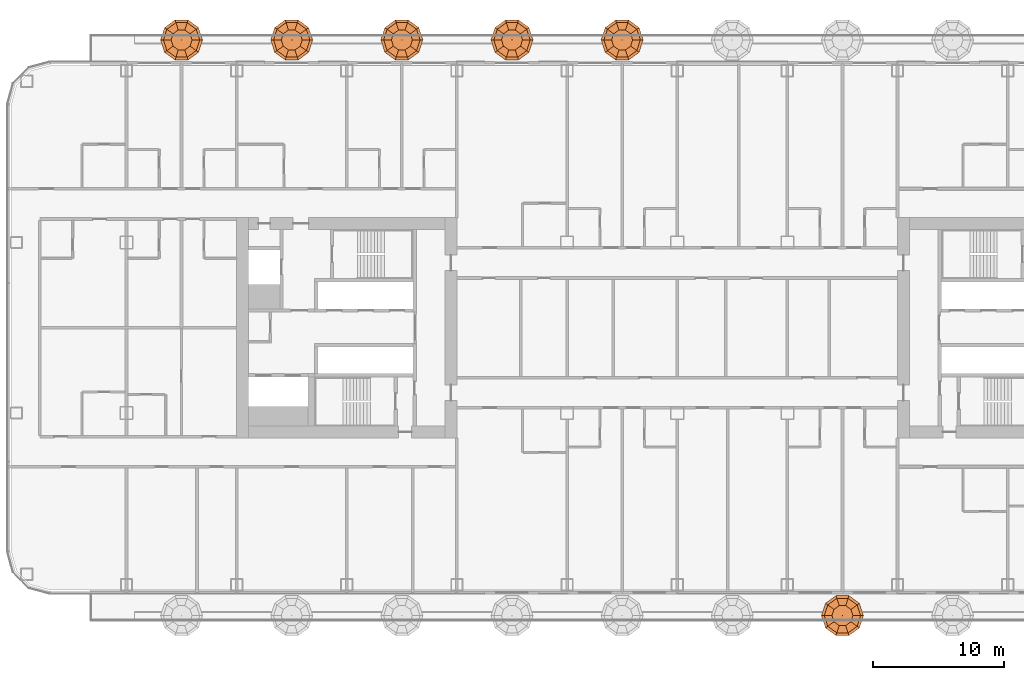
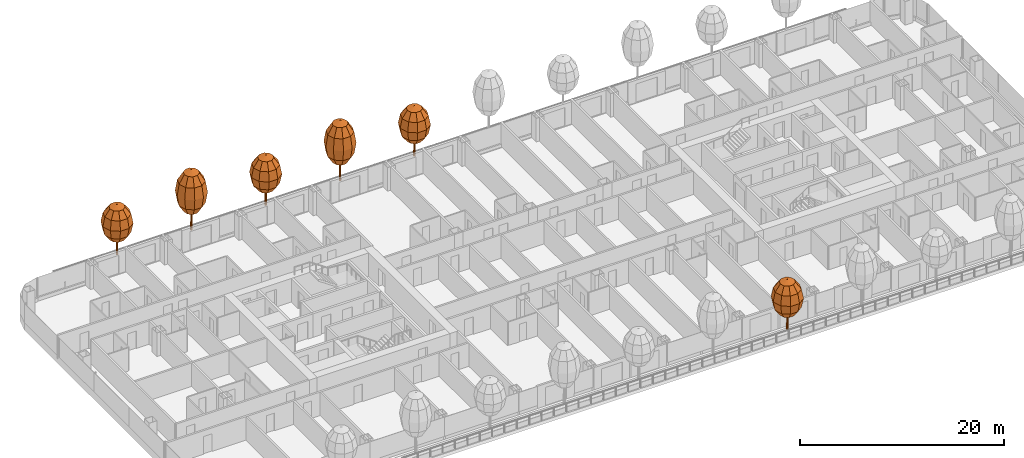
# One storey, part 34 of 36: 6 geographic elements.
"""IFC4 building model written with IfcOpenShell, lengths in metres."""

from ifc_helpers import new_model, si_unit, direction, frame, origin, place, context, subcontext, project, spatial, triangles, material, type_object, element, save


model = new_model("IFC4")

# Units and contexts
model_context = context("Model", 3, precision=1e-05, world=origin(), true_north=direction((0.0, 1.0)))
body_context = subcontext(model_context, "Body", "Model", "MODEL_VIEW")
ifc_project = project(units=[si_unit("LENGTHUNIT", "METRE"), si_unit("AREAUNIT", "SQUARE_METRE"), si_unit("VOLUMEUNIT", "CUBIC_METRE"), si_unit("PLANEANGLEUNIT", "RADIAN"), si_unit("MASSUNIT", "GRAM", prefix="KILO")], contexts=[model_context])

# Site, building, storey
site_placement = place(None, origin())
site = spatial("IfcSite", under=ifc_project, at=site_placement, CompositionType="ELEMENT")
building_placement = place(site_placement, origin())
building = spatial("IfcBuilding", under=site, at=building_placement, Name="Hakoniwa Tower and Hamabe Station Hall", CompositionType="ELEMENT")
storey_placement = place(building_placement, frame((0.0, 0.0, 26.199951171875)))
storey = spatial("IfcBuildingStorey", under=building, at=storey_placement, Name="L06", CompositionType="ELEMENT", Elevation=26.199951171875)

# Geographic elements
ifc_material_1 = material(Name="Tree foliage")
geographic_element_type_1 = type_object("IfcGeographicElementType", Name="Japanese maple 7.2 m", PredefinedType="USERDEFINED", material=ifc_material_1)
geographic_element_1_placement = place(storey_placement, frame((-29.39990234375, 21.949951171875, 0.900146484375)))
element("IfcGeographicElement", 1, at=geographic_element_1_placement, inside=storey, type_object=geographic_element_type_1, Name="Japanese maple 7-2 m", ObjectType="TREE", PredefinedType="USERDEFINED", context=body_context, shape_type="Tessellation", body=[
    triangles([(0.125, 0.0, 0.0), (0.08837890625, 0.08837890625, 0.0), (0.0, 0.125, 0.0), (-0.08837890625, 0.08837890625, 0.0), (-0.125, 0.0, 0.0), (-0.08837890625, -0.08837890625, 0.0), (0.0, -0.125, 0.0), (0.08837890625, -0.08837890625, 0.0), (0.074951171875, 0.0, 4.348876953125), (0.052978515625, 0.052978515625, 4.348876953125), (0.0, 0.074951171875, 4.348876953125), (-0.052978515625, 0.052978515625, 4.348876953125), (-0.074951171875, 0.0, 4.348876953125), (-0.052978515625, -0.052978515625, 4.348876953125), (0.0, -0.074951171875, 4.348876953125), (0.052978515625, -0.052978515625, 4.348876953125), (0.0, 0.0, 0.0), (0.0, 0.0, 4.348876953125)], [[1, 2, 10], [1, 10, 9], [17, 2, 1], [18, 9, 10], [2, 3, 11], [2, 11, 10], [17, 3, 2], [18, 10, 11], [3, 4, 12], [3, 12, 11], [17, 4, 3], [18, 11, 12], [4, 5, 13], [4, 13, 12], [17, 5, 4], [18, 12, 13], [5, 6, 14], [5, 14, 13], [17, 6, 5], [18, 13, 14], [6, 7, 15], [6, 15, 14], [17, 7, 6], [18, 14, 15], [7, 8, 16], [7, 16, 15], [17, 8, 7], [18, 15, 16], [8, 1, 9], [8, 9, 16], [17, 1, 8], [18, 16, 9]], closed=True),
    triangles([(0.0, 0.0, 2.015869140625), (0.800048828125, 0.0, 2.36328125), (0.647216796875, 0.47021484375, 2.36328125), (0.247314453125, 0.7607421875, 2.36328125), (-0.247314453125, 0.7607421875, 2.36328125), (-0.647216796875, 0.47021484375, 2.36328125), (-0.800048828125, 0.0, 2.36328125), (-0.647216796875, -0.47021484375, 2.36328125), (-0.247314453125, -0.7607421875, 2.36328125), (0.247314453125, -0.7607421875, 2.36328125), (0.647216796875, -0.47021484375, 2.36328125), (1.385498046875, 0.0, 3.31201171875), (1.12109375, 0.814453125, 3.31201171875), (0.42822265625, 1.31787109375, 3.31201171875), (-0.42822265625, 1.31787109375, 3.31201171875), (-1.12109375, 0.814453125, 3.31201171875), (-1.385498046875, 0.0, 3.31201171875), (-1.12109375, -0.814453125, 3.31201171875), (-0.42822265625, -1.31787109375, 3.31201171875), (0.42822265625, -1.31787109375, 3.31201171875), (1.12109375, -0.814453125, 3.31201171875), (1.60009765625, 0.0, 4.60791015625), (1.29443359375, 0.9404296875, 4.60791015625), (0.494384765625, 1.521728515625, 4.60791015625), (-0.494384765625, 1.521728515625, 4.60791015625), (-1.29443359375, 0.9404296875, 4.60791015625), (-1.60009765625, 0.0, 4.60791015625), (-1.29443359375, -0.9404296875, 4.60791015625), (-0.494384765625, -1.521728515625, 4.60791015625), (0.494384765625, -1.521728515625, 4.60791015625), (1.29443359375, -0.9404296875, 4.60791015625), (1.385498046875, 0.0, 5.904052734375), (1.12109375, 0.814453125, 5.904052734375), (0.42822265625, 1.31787109375, 5.904052734375), (-0.42822265625, 1.31787109375, 5.904052734375), (-1.12109375, 0.814453125, 5.904052734375), (-1.385498046875, 0.0, 5.904052734375), (-1.12109375, -0.814453125, 5.904052734375), (-0.42822265625, -1.31787109375, 5.904052734375), (0.42822265625, -1.31787109375, 5.904052734375), (1.12109375, -0.814453125, 5.904052734375), (0.800048828125, 0.0, 6.852783203125), (0.647216796875, 0.47021484375, 6.852783203125), (0.247314453125, 0.7607421875, 6.852783203125), (-0.247314453125, 0.7607421875, 6.852783203125), (-0.647216796875, 0.47021484375, 6.852783203125), (-0.800048828125, 0.0, 6.852783203125), (-0.647216796875, -0.47021484375, 6.852783203125), (-0.247314453125, -0.7607421875, 6.852783203125), (0.247314453125, -0.7607421875, 6.852783203125), (0.647216796875, -0.47021484375, 6.852783203125), (0.0, 0.0, 7.199951171875)], [[1, 3, 2], [1, 4, 3], [1, 5, 4], [1, 6, 5], [1, 7, 6], [1, 8, 7], [1, 9, 8], [1, 10, 9], [1, 11, 10], [1, 2, 11], [2, 3, 13], [2, 13, 12], [3, 4, 14], [3, 14, 13], [4, 5, 15], [4, 15, 14], [5, 6, 16], [5, 16, 15], [6, 7, 17], [6, 17, 16], [7, 8, 18], [7, 18, 17], [8, 9, 19], [8, 19, 18], [9, 10, 20], [9, 20, 19], [10, 11, 21], [10, 21, 20], [11, 2, 12], [11, 12, 21], [12, 13, 23], [12, 23, 22], [13, 14, 24], [13, 24, 23], [14, 15, 25], [14, 25, 24], [15, 16, 26], [15, 26, 25], [16, 17, 27], [16, 27, 26], [17, 18, 28], [17, 28, 27], [18, 19, 29], [18, 29, 28], [19, 20, 30], [19, 30, 29], [20, 21, 31], [20, 31, 30], [21, 12, 22], [21, 22, 31], [22, 23, 33], [22, 33, 32], [23, 24, 34], [23, 34, 33], [24, 25, 35], [24, 35, 34], [25, 26, 36], [25, 36, 35], [26, 27, 37], [26, 37, 36], [27, 28, 38], [27, 38, 37], [28, 29, 39], [28, 39, 38], [29, 30, 40], [29, 40, 39], [30, 31, 41], [30, 41, 40], [31, 22, 32], [31, 32, 41], [32, 33, 43], [32, 43, 42], [33, 34, 44], [33, 44, 43], [34, 35, 45], [34, 45, 44], [35, 36, 46], [35, 46, 45], [36, 37, 47], [36, 47, 46], [37, 38, 48], [37, 48, 47], [38, 39, 49], [38, 49, 48], [39, 40, 50], [39, 50, 49], [40, 41, 51], [40, 51, 50], [41, 32, 42], [41, 42, 51], [52, 42, 43], [52, 43, 44], [52, 44, 45], [52, 45, 46], [52, 46, 47], [52, 47, 48], [52, 48, 49], [52, 49, 50], [52, 50, 51], [52, 51, 42]], closed=True),
])
geographic_element_2_placement = place(storey_placement, frame((-12.60009765625, 21.949951171875, 0.900146484375)))
element("IfcGeographicElement", 2, at=geographic_element_2_placement, inside=storey, type_object=geographic_element_type_1, Name="Japanese maple 7-2 m", ObjectType="TREE", PredefinedType="USERDEFINED", context=body_context, shape_type="Tessellation", body=[
    triangles([(0.125, 0.0, 0.0), (0.08837890625, 0.08837890625, 0.0), (0.0, 0.125, 0.0), (-0.08837890625, 0.08837890625, 0.0), (-0.125, 0.0, 0.0), (-0.08837890625, -0.08837890625, 0.0), (0.0, -0.125, 0.0), (0.08837890625, -0.08837890625, 0.0), (0.074951171875, 0.0, 4.348876953125), (0.052978515625, 0.052978515625, 4.348876953125), (0.0, 0.074951171875, 4.348876953125), (-0.052978515625, 0.052978515625, 4.348876953125), (-0.074951171875, 0.0, 4.348876953125), (-0.052978515625, -0.052978515625, 4.348876953125), (0.0, -0.074951171875, 4.348876953125), (0.052978515625, -0.052978515625, 4.348876953125), (0.0, 0.0, 0.0), (0.0, 0.0, 4.348876953125)], [[1, 2, 10], [1, 10, 9], [17, 2, 1], [18, 9, 10], [2, 3, 11], [2, 11, 10], [17, 3, 2], [18, 10, 11], [3, 4, 12], [3, 12, 11], [17, 4, 3], [18, 11, 12], [4, 5, 13], [4, 13, 12], [17, 5, 4], [18, 12, 13], [5, 6, 14], [5, 14, 13], [17, 6, 5], [18, 13, 14], [6, 7, 15], [6, 15, 14], [17, 7, 6], [18, 14, 15], [7, 8, 16], [7, 16, 15], [17, 8, 7], [18, 15, 16], [8, 1, 9], [8, 9, 16], [17, 1, 8], [18, 16, 9]], closed=True),
    triangles([(0.0, 0.0, 2.015869140625), (0.800048828125, 0.0, 2.36328125), (0.647216796875, 0.47021484375, 2.36328125), (0.247314453125, 0.7607421875, 2.36328125), (-0.247314453125, 0.7607421875, 2.36328125), (-0.647216796875, 0.47021484375, 2.36328125), (-0.800048828125, 0.0, 2.36328125), (-0.647216796875, -0.47021484375, 2.36328125), (-0.247314453125, -0.7607421875, 2.36328125), (0.247314453125, -0.7607421875, 2.36328125), (0.647216796875, -0.47021484375, 2.36328125), (1.385498046875, 0.0, 3.31201171875), (1.12109375, 0.814453125, 3.31201171875), (0.42822265625, 1.31787109375, 3.31201171875), (-0.42822265625, 1.31787109375, 3.31201171875), (-1.12109375, 0.814453125, 3.31201171875), (-1.385498046875, 0.0, 3.31201171875), (-1.12109375, -0.814453125, 3.31201171875), (-0.42822265625, -1.31787109375, 3.31201171875), (0.42822265625, -1.31787109375, 3.31201171875), (1.12109375, -0.814453125, 3.31201171875), (1.60009765625, 0.0, 4.60791015625), (1.29443359375, 0.9404296875, 4.60791015625), (0.494384765625, 1.521728515625, 4.60791015625), (-0.494384765625, 1.521728515625, 4.60791015625), (-1.29443359375, 0.9404296875, 4.60791015625), (-1.60009765625, 0.0, 4.60791015625), (-1.29443359375, -0.9404296875, 4.60791015625), (-0.494384765625, -1.521728515625, 4.60791015625), (0.494384765625, -1.521728515625, 4.60791015625), (1.29443359375, -0.9404296875, 4.60791015625), (1.385498046875, 0.0, 5.904052734375), (1.12109375, 0.814453125, 5.904052734375), (0.42822265625, 1.31787109375, 5.904052734375), (-0.42822265625, 1.31787109375, 5.904052734375), (-1.12109375, 0.814453125, 5.904052734375), (-1.385498046875, 0.0, 5.904052734375), (-1.12109375, -0.814453125, 5.904052734375), (-0.42822265625, -1.31787109375, 5.904052734375), (0.42822265625, -1.31787109375, 5.904052734375), (1.12109375, -0.814453125, 5.904052734375), (0.800048828125, 0.0, 6.852783203125), (0.647216796875, 0.47021484375, 6.852783203125), (0.247314453125, 0.7607421875, 6.852783203125), (-0.247314453125, 0.7607421875, 6.852783203125), (-0.647216796875, 0.47021484375, 6.852783203125), (-0.800048828125, 0.0, 6.852783203125), (-0.647216796875, -0.47021484375, 6.852783203125), (-0.247314453125, -0.7607421875, 6.852783203125), (0.247314453125, -0.7607421875, 6.852783203125), (0.647216796875, -0.47021484375, 6.852783203125), (0.0, 0.0, 7.199951171875)], [[1, 3, 2], [1, 4, 3], [1, 5, 4], [1, 6, 5], [1, 7, 6], [1, 8, 7], [1, 9, 8], [1, 10, 9], [1, 11, 10], [1, 2, 11], [2, 3, 13], [2, 13, 12], [3, 4, 14], [3, 14, 13], [4, 5, 15], [4, 15, 14], [5, 6, 16], [5, 16, 15], [6, 7, 17], [6, 17, 16], [7, 8, 18], [7, 18, 17], [8, 9, 19], [8, 19, 18], [9, 10, 20], [9, 20, 19], [10, 11, 21], [10, 21, 20], [11, 2, 12], [11, 12, 21], [12, 13, 23], [12, 23, 22], [13, 14, 24], [13, 24, 23], [14, 15, 25], [14, 25, 24], [15, 16, 26], [15, 26, 25], [16, 17, 27], [16, 27, 26], [17, 18, 28], [17, 28, 27], [18, 19, 29], [18, 29, 28], [19, 20, 30], [19, 30, 29], [20, 21, 31], [20, 31, 30], [21, 12, 22], [21, 22, 31], [22, 23, 33], [22, 33, 32], [23, 24, 34], [23, 34, 33], [24, 25, 35], [24, 35, 34], [25, 26, 36], [25, 36, 35], [26, 27, 37], [26, 37, 36], [27, 28, 38], [27, 38, 37], [28, 29, 39], [28, 39, 38], [29, 30, 40], [29, 40, 39], [30, 31, 41], [30, 41, 40], [31, 22, 32], [31, 32, 41], [32, 33, 43], [32, 43, 42], [33, 34, 44], [33, 44, 43], [34, 35, 45], [34, 45, 44], [35, 36, 46], [35, 46, 45], [36, 37, 47], [36, 47, 46], [37, 38, 48], [37, 48, 47], [38, 39, 49], [38, 49, 48], [39, 40, 50], [39, 50, 49], [40, 41, 51], [40, 51, 50], [41, 32, 42], [41, 42, 51], [52, 42, 43], [52, 43, 44], [52, 44, 45], [52, 45, 46], [52, 46, 47], [52, 47, 48], [52, 48, 49], [52, 49, 50], [52, 50, 51], [52, 51, 42]], closed=True),
])
ifc_material_2 = material(Name="Tree foliage")
geographic_element_type_2 = type_object("IfcGeographicElementType", Name="Osmanthus 6.0 m", PredefinedType="USERDEFINED", material=ifc_material_2)
geographic_element_3_placement = place(storey_placement, frame((-37.800048828125, 21.949951171875, 0.900146484375)))
element("IfcGeographicElement", 3, at=geographic_element_3_placement, inside=storey, type_object=geographic_element_type_2, Name="Osmanthus 6-0 m", ObjectType="TREE", PredefinedType="USERDEFINED", context=body_context, shape_type="Tessellation", body=[
    triangles([(0.125, 0.0, 0.0), (0.08837890625, 0.08837890625, 0.0), (0.0, 0.125, 0.0), (-0.08837890625, 0.08837890625, 0.0), (-0.125, 0.0, 0.0), (-0.08837890625, -0.08837890625, 0.0), (0.0, -0.125, 0.0), (0.08837890625, -0.08837890625, 0.0), (0.074951171875, 0.0, 3.6240234375), (0.052978515625, 0.052978515625, 3.6240234375), (0.0, 0.074951171875, 3.6240234375), (-0.052978515625, 0.052978515625, 3.6240234375), (-0.074951171875, 0.0, 3.6240234375), (-0.052978515625, -0.052978515625, 3.6240234375), (0.0, -0.074951171875, 3.6240234375), (0.052978515625, -0.052978515625, 3.6240234375), (0.0, 0.0, 0.0), (0.0, 0.0, 3.6240234375)], [[1, 2, 10], [1, 10, 9], [17, 2, 1], [18, 9, 10], [2, 3, 11], [2, 11, 10], [17, 3, 2], [18, 10, 11], [3, 4, 12], [3, 12, 11], [17, 4, 3], [18, 11, 12], [4, 5, 13], [4, 13, 12], [17, 5, 4], [18, 12, 13], [5, 6, 14], [5, 14, 13], [17, 6, 5], [18, 13, 14], [6, 7, 15], [6, 15, 14], [17, 7, 6], [18, 14, 15], [7, 8, 16], [7, 16, 15], [17, 8, 7], [18, 15, 16], [8, 1, 9], [8, 9, 16], [17, 1, 8], [18, 16, 9]], closed=True),
    triangles([(0.0, 0.0, 1.679931640625), (0.800048828125, 0.0, 1.969482421875), (0.647216796875, 0.47021484375, 1.969482421875), (0.247314453125, 0.7607421875, 1.969482421875), (-0.247314453125, 0.7607421875, 1.969482421875), (-0.647216796875, 0.47021484375, 1.969482421875), (-0.800048828125, 0.0, 1.969482421875), (-0.647216796875, -0.47021484375, 1.969482421875), (-0.247314453125, -0.7607421875, 1.969482421875), (0.247314453125, -0.7607421875, 1.969482421875), (0.647216796875, -0.47021484375, 1.969482421875), (1.385498046875, 0.0, 2.760009765625), (1.12109375, 0.814453125, 2.760009765625), (0.42822265625, 1.31787109375, 2.760009765625), (-0.42822265625, 1.31787109375, 2.760009765625), (-1.12109375, 0.814453125, 2.760009765625), (-1.385498046875, 0.0, 2.760009765625), (-1.12109375, -0.814453125, 2.760009765625), (-0.42822265625, -1.31787109375, 2.760009765625), (0.42822265625, -1.31787109375, 2.760009765625), (1.12109375, -0.814453125, 2.760009765625), (1.60009765625, 0.0, 3.840087890625), (1.29443359375, 0.9404296875, 3.840087890625), (0.494384765625, 1.521728515625, 3.840087890625), (-0.494384765625, 1.521728515625, 3.840087890625), (-1.29443359375, 0.9404296875, 3.840087890625), (-1.60009765625, 0.0, 3.840087890625), (-1.29443359375, -0.9404296875, 3.840087890625), (-0.494384765625, -1.521728515625, 3.840087890625), (0.494384765625, -1.521728515625, 3.840087890625), (1.29443359375, -0.9404296875, 3.840087890625), (1.385498046875, 0.0, 4.919921875), (1.12109375, 0.814453125, 4.919921875), (0.42822265625, 1.31787109375, 4.919921875), (-0.42822265625, 1.31787109375, 4.919921875), (-1.12109375, 0.814453125, 4.919921875), (-1.385498046875, 0.0, 4.919921875), (-1.12109375, -0.814453125, 4.919921875), (-0.42822265625, -1.31787109375, 4.919921875), (0.42822265625, -1.31787109375, 4.919921875), (1.12109375, -0.814453125, 4.919921875), (0.800048828125, 0.0, 5.710693359375), (0.647216796875, 0.47021484375, 5.710693359375), (0.247314453125, 0.7607421875, 5.710693359375), (-0.247314453125, 0.7607421875, 5.710693359375), (-0.647216796875, 0.47021484375, 5.710693359375), (-0.800048828125, 0.0, 5.710693359375), (-0.647216796875, -0.47021484375, 5.710693359375), (-0.247314453125, -0.7607421875, 5.710693359375), (0.247314453125, -0.7607421875, 5.710693359375), (0.647216796875, -0.47021484375, 5.710693359375), (0.0, 0.0, 6.0)], [[1, 3, 2], [1, 4, 3], [1, 5, 4], [1, 6, 5], [1, 7, 6], [1, 8, 7], [1, 9, 8], [1, 10, 9], [1, 11, 10], [1, 2, 11], [2, 3, 13], [2, 13, 12], [3, 4, 14], [3, 14, 13], [4, 5, 15], [4, 15, 14], [5, 6, 16], [5, 16, 15], [6, 7, 17], [6, 17, 16], [7, 8, 18], [7, 18, 17], [8, 9, 19], [8, 19, 18], [9, 10, 20], [9, 20, 19], [10, 11, 21], [10, 21, 20], [11, 2, 12], [11, 12, 21], [12, 13, 23], [12, 23, 22], [13, 14, 24], [13, 24, 23], [14, 15, 25], [14, 25, 24], [15, 16, 26], [15, 26, 25], [16, 17, 27], [16, 27, 26], [17, 18, 28], [17, 28, 27], [18, 19, 29], [18, 29, 28], [19, 20, 30], [19, 30, 29], [20, 21, 31], [20, 31, 30], [21, 12, 22], [21, 22, 31], [22, 23, 33], [22, 33, 32], [23, 24, 34], [23, 34, 33], [24, 25, 35], [24, 35, 34], [25, 26, 36], [25, 36, 35], [26, 27, 37], [26, 37, 36], [27, 28, 38], [27, 38, 37], [28, 29, 39], [28, 39, 38], [29, 30, 40], [29, 40, 39], [30, 31, 41], [30, 41, 40], [31, 22, 32], [31, 32, 41], [32, 33, 43], [32, 43, 42], [33, 34, 44], [33, 44, 43], [34, 35, 45], [34, 45, 44], [35, 36, 46], [35, 46, 45], [36, 37, 47], [36, 47, 46], [37, 38, 48], [37, 48, 47], [38, 39, 49], [38, 49, 48], [39, 40, 50], [39, 50, 49], [40, 41, 51], [40, 51, 50], [41, 32, 42], [41, 42, 51], [52, 42, 43], [52, 43, 44], [52, 44, 45], [52, 45, 46], [52, 46, 47], [52, 47, 48], [52, 48, 49], [52, 49, 50], [52, 50, 51], [52, 51, 42]], closed=True),
])
geographic_element_4_placement = place(storey_placement, frame((-21.0, 21.949951171875, 0.900146484375)))
element("IfcGeographicElement", 4, at=geographic_element_4_placement, inside=storey, type_object=geographic_element_type_2, Name="Osmanthus 6-0 m", ObjectType="TREE", PredefinedType="USERDEFINED", context=body_context, shape_type="Tessellation", body=[
    triangles([(0.125, 0.0, 0.0), (0.08837890625, 0.08837890625, 0.0), (0.0, 0.125, 0.0), (-0.08837890625, 0.08837890625, 0.0), (-0.125, 0.0, 0.0), (-0.08837890625, -0.08837890625, 0.0), (0.0, -0.125, 0.0), (0.08837890625, -0.08837890625, 0.0), (0.074951171875, 0.0, 3.6240234375), (0.052978515625, 0.052978515625, 3.6240234375), (0.0, 0.074951171875, 3.6240234375), (-0.052978515625, 0.052978515625, 3.6240234375), (-0.074951171875, 0.0, 3.6240234375), (-0.052978515625, -0.052978515625, 3.6240234375), (0.0, -0.074951171875, 3.6240234375), (0.052978515625, -0.052978515625, 3.6240234375), (0.0, 0.0, 0.0), (0.0, 0.0, 3.6240234375)], [[1, 2, 10], [1, 10, 9], [17, 2, 1], [18, 9, 10], [2, 3, 11], [2, 11, 10], [17, 3, 2], [18, 10, 11], [3, 4, 12], [3, 12, 11], [17, 4, 3], [18, 11, 12], [4, 5, 13], [4, 13, 12], [17, 5, 4], [18, 12, 13], [5, 6, 14], [5, 14, 13], [17, 6, 5], [18, 13, 14], [6, 7, 15], [6, 15, 14], [17, 7, 6], [18, 14, 15], [7, 8, 16], [7, 16, 15], [17, 8, 7], [18, 15, 16], [8, 1, 9], [8, 9, 16], [17, 1, 8], [18, 16, 9]], closed=True),
    triangles([(0.0, 0.0, 1.679931640625), (0.800048828125, 0.0, 1.969482421875), (0.647216796875, 0.47021484375, 1.969482421875), (0.247314453125, 0.7607421875, 1.969482421875), (-0.247314453125, 0.7607421875, 1.969482421875), (-0.647216796875, 0.47021484375, 1.969482421875), (-0.800048828125, 0.0, 1.969482421875), (-0.647216796875, -0.47021484375, 1.969482421875), (-0.247314453125, -0.7607421875, 1.969482421875), (0.247314453125, -0.7607421875, 1.969482421875), (0.647216796875, -0.47021484375, 1.969482421875), (1.385498046875, 0.0, 2.760009765625), (1.12109375, 0.814453125, 2.760009765625), (0.42822265625, 1.31787109375, 2.760009765625), (-0.42822265625, 1.31787109375, 2.760009765625), (-1.12109375, 0.814453125, 2.760009765625), (-1.385498046875, 0.0, 2.760009765625), (-1.12109375, -0.814453125, 2.760009765625), (-0.42822265625, -1.31787109375, 2.760009765625), (0.42822265625, -1.31787109375, 2.760009765625), (1.12109375, -0.814453125, 2.760009765625), (1.60009765625, 0.0, 3.840087890625), (1.29443359375, 0.9404296875, 3.840087890625), (0.494384765625, 1.521728515625, 3.840087890625), (-0.494384765625, 1.521728515625, 3.840087890625), (-1.29443359375, 0.9404296875, 3.840087890625), (-1.60009765625, 0.0, 3.840087890625), (-1.29443359375, -0.9404296875, 3.840087890625), (-0.494384765625, -1.521728515625, 3.840087890625), (0.494384765625, -1.521728515625, 3.840087890625), (1.29443359375, -0.9404296875, 3.840087890625), (1.385498046875, 0.0, 4.919921875), (1.12109375, 0.814453125, 4.919921875), (0.42822265625, 1.31787109375, 4.919921875), (-0.42822265625, 1.31787109375, 4.919921875), (-1.12109375, 0.814453125, 4.919921875), (-1.385498046875, 0.0, 4.919921875), (-1.12109375, -0.814453125, 4.919921875), (-0.42822265625, -1.31787109375, 4.919921875), (0.42822265625, -1.31787109375, 4.919921875), (1.12109375, -0.814453125, 4.919921875), (0.800048828125, 0.0, 5.710693359375), (0.647216796875, 0.47021484375, 5.710693359375), (0.247314453125, 0.7607421875, 5.710693359375), (-0.247314453125, 0.7607421875, 5.710693359375), (-0.647216796875, 0.47021484375, 5.710693359375), (-0.800048828125, 0.0, 5.710693359375), (-0.647216796875, -0.47021484375, 5.710693359375), (-0.247314453125, -0.7607421875, 5.710693359375), (0.247314453125, -0.7607421875, 5.710693359375), (0.647216796875, -0.47021484375, 5.710693359375), (0.0, 0.0, 6.0)], [[1, 3, 2], [1, 4, 3], [1, 5, 4], [1, 6, 5], [1, 7, 6], [1, 8, 7], [1, 9, 8], [1, 10, 9], [1, 11, 10], [1, 2, 11], [2, 3, 13], [2, 13, 12], [3, 4, 14], [3, 14, 13], [4, 5, 15], [4, 15, 14], [5, 6, 16], [5, 16, 15], [6, 7, 17], [6, 17, 16], [7, 8, 18], [7, 18, 17], [8, 9, 19], [8, 19, 18], [9, 10, 20], [9, 20, 19], [10, 11, 21], [10, 21, 20], [11, 2, 12], [11, 12, 21], [12, 13, 23], [12, 23, 22], [13, 14, 24], [13, 24, 23], [14, 15, 25], [14, 25, 24], [15, 16, 26], [15, 26, 25], [16, 17, 27], [16, 27, 26], [17, 18, 28], [17, 28, 27], [18, 19, 29], [18, 29, 28], [19, 20, 30], [19, 30, 29], [20, 21, 31], [20, 31, 30], [21, 12, 22], [21, 22, 31], [22, 23, 33], [22, 33, 32], [23, 24, 34], [23, 34, 33], [24, 25, 35], [24, 35, 34], [25, 26, 36], [25, 36, 35], [26, 27, 37], [26, 37, 36], [27, 28, 38], [27, 38, 37], [28, 29, 39], [28, 39, 38], [29, 30, 40], [29, 40, 39], [30, 31, 41], [30, 41, 40], [31, 22, 32], [31, 32, 41], [32, 33, 43], [32, 43, 42], [33, 34, 44], [33, 44, 43], [34, 35, 45], [34, 45, 44], [35, 36, 46], [35, 46, 45], [36, 37, 47], [36, 47, 46], [37, 38, 48], [37, 48, 47], [38, 39, 49], [38, 49, 48], [39, 40, 50], [39, 50, 49], [40, 41, 51], [40, 51, 50], [41, 32, 42], [41, 42, 51], [52, 42, 43], [52, 43, 44], [52, 44, 45], [52, 45, 46], [52, 46, 47], [52, 47, 48], [52, 48, 49], [52, 49, 50], [52, 50, 51], [52, 51, 42]], closed=True),
])
geographic_element_5_placement = place(storey_placement, frame((-4.199951171875, 21.949951171875, 0.900146484375)))
element("IfcGeographicElement", 5, at=geographic_element_5_placement, inside=storey, type_object=geographic_element_type_2, Name="Osmanthus 6-0 m", ObjectType="TREE", PredefinedType="USERDEFINED", context=body_context, shape_type="Tessellation", body=[
    triangles([(0.125, 0.0, 0.0), (0.08837890625, 0.08837890625, 0.0), (0.0, 0.125, 0.0), (-0.08837890625, 0.08837890625, 0.0), (-0.125, 0.0, 0.0), (-0.08837890625, -0.08837890625, 0.0), (0.0, -0.125, 0.0), (0.08837890625, -0.08837890625, 0.0), (0.074951171875, 0.0, 3.6240234375), (0.052978515625, 0.052978515625, 3.6240234375), (0.0, 0.074951171875, 3.6240234375), (-0.052978515625, 0.052978515625, 3.6240234375), (-0.074951171875, 0.0, 3.6240234375), (-0.052978515625, -0.052978515625, 3.6240234375), (0.0, -0.074951171875, 3.6240234375), (0.052978515625, -0.052978515625, 3.6240234375), (0.0, 0.0, 0.0), (0.0, 0.0, 3.6240234375)], [[1, 2, 10], [1, 10, 9], [17, 2, 1], [18, 9, 10], [2, 3, 11], [2, 11, 10], [17, 3, 2], [18, 10, 11], [3, 4, 12], [3, 12, 11], [17, 4, 3], [18, 11, 12], [4, 5, 13], [4, 13, 12], [17, 5, 4], [18, 12, 13], [5, 6, 14], [5, 14, 13], [17, 6, 5], [18, 13, 14], [6, 7, 15], [6, 15, 14], [17, 7, 6], [18, 14, 15], [7, 8, 16], [7, 16, 15], [17, 8, 7], [18, 15, 16], [8, 1, 9], [8, 9, 16], [17, 1, 8], [18, 16, 9]], closed=True),
    triangles([(0.0, 0.0, 1.679931640625), (0.800048828125, 0.0, 1.969482421875), (0.647216796875, 0.47021484375, 1.969482421875), (0.247314453125, 0.7607421875, 1.969482421875), (-0.247314453125, 0.7607421875, 1.969482421875), (-0.647216796875, 0.47021484375, 1.969482421875), (-0.800048828125, 0.0, 1.969482421875), (-0.647216796875, -0.47021484375, 1.969482421875), (-0.247314453125, -0.7607421875, 1.969482421875), (0.247314453125, -0.7607421875, 1.969482421875), (0.647216796875, -0.47021484375, 1.969482421875), (1.385498046875, 0.0, 2.760009765625), (1.12109375, 0.814453125, 2.760009765625), (0.42822265625, 1.31787109375, 2.760009765625), (-0.42822265625, 1.31787109375, 2.760009765625), (-1.12109375, 0.814453125, 2.760009765625), (-1.385498046875, 0.0, 2.760009765625), (-1.12109375, -0.814453125, 2.760009765625), (-0.42822265625, -1.31787109375, 2.760009765625), (0.42822265625, -1.31787109375, 2.760009765625), (1.12109375, -0.814453125, 2.760009765625), (1.60009765625, 0.0, 3.840087890625), (1.29443359375, 0.9404296875, 3.840087890625), (0.494384765625, 1.521728515625, 3.840087890625), (-0.494384765625, 1.521728515625, 3.840087890625), (-1.29443359375, 0.9404296875, 3.840087890625), (-1.60009765625, 0.0, 3.840087890625), (-1.29443359375, -0.9404296875, 3.840087890625), (-0.494384765625, -1.521728515625, 3.840087890625), (0.494384765625, -1.521728515625, 3.840087890625), (1.29443359375, -0.9404296875, 3.840087890625), (1.385498046875, 0.0, 4.919921875), (1.12109375, 0.814453125, 4.919921875), (0.42822265625, 1.31787109375, 4.919921875), (-0.42822265625, 1.31787109375, 4.919921875), (-1.12109375, 0.814453125, 4.919921875), (-1.385498046875, 0.0, 4.919921875), (-1.12109375, -0.814453125, 4.919921875), (-0.42822265625, -1.31787109375, 4.919921875), (0.42822265625, -1.31787109375, 4.919921875), (1.12109375, -0.814453125, 4.919921875), (0.800048828125, 0.0, 5.710693359375), (0.647216796875, 0.47021484375, 5.710693359375), (0.247314453125, 0.7607421875, 5.710693359375), (-0.247314453125, 0.7607421875, 5.710693359375), (-0.647216796875, 0.47021484375, 5.710693359375), (-0.800048828125, 0.0, 5.710693359375), (-0.647216796875, -0.47021484375, 5.710693359375), (-0.247314453125, -0.7607421875, 5.710693359375), (0.247314453125, -0.7607421875, 5.710693359375), (0.647216796875, -0.47021484375, 5.710693359375), (0.0, 0.0, 6.0)], [[1, 3, 2], [1, 4, 3], [1, 5, 4], [1, 6, 5], [1, 7, 6], [1, 8, 7], [1, 9, 8], [1, 10, 9], [1, 11, 10], [1, 2, 11], [2, 3, 13], [2, 13, 12], [3, 4, 14], [3, 14, 13], [4, 5, 15], [4, 15, 14], [5, 6, 16], [5, 16, 15], [6, 7, 17], [6, 17, 16], [7, 8, 18], [7, 18, 17], [8, 9, 19], [8, 19, 18], [9, 10, 20], [9, 20, 19], [10, 11, 21], [10, 21, 20], [11, 2, 12], [11, 12, 21], [12, 13, 23], [12, 23, 22], [13, 14, 24], [13, 24, 23], [14, 15, 25], [14, 25, 24], [15, 16, 26], [15, 26, 25], [16, 17, 27], [16, 27, 26], [17, 18, 28], [17, 28, 27], [18, 19, 29], [18, 29, 28], [19, 20, 30], [19, 30, 29], [20, 21, 31], [20, 31, 30], [21, 12, 22], [21, 22, 31], [22, 23, 33], [22, 33, 32], [23, 24, 34], [23, 34, 33], [24, 25, 35], [24, 35, 34], [25, 26, 36], [25, 36, 35], [26, 27, 37], [26, 37, 36], [27, 28, 38], [27, 38, 37], [28, 29, 39], [28, 39, 38], [29, 30, 40], [29, 40, 39], [30, 31, 41], [30, 41, 40], [31, 22, 32], [31, 32, 41], [32, 33, 43], [32, 43, 42], [33, 34, 44], [33, 44, 43], [34, 35, 45], [34, 45, 44], [35, 36, 46], [35, 46, 45], [36, 37, 47], [36, 47, 46], [37, 38, 48], [37, 48, 47], [38, 39, 49], [38, 49, 48], [39, 40, 50], [39, 50, 49], [40, 41, 51], [40, 51, 50], [41, 32, 42], [41, 42, 51], [52, 42, 43], [52, 43, 44], [52, 44, 45], [52, 45, 46], [52, 46, 47], [52, 47, 48], [52, 48, 49], [52, 49, 50], [52, 50, 51], [52, 51, 42]], closed=True),
])
geographic_element_6_placement = place(storey_placement, frame((12.60009765625, -21.949951171875, 0.900146484375)))
element("IfcGeographicElement", 6, at=geographic_element_6_placement, inside=storey, type_object=geographic_element_type_2, Name="Osmanthus 6-0 m", ObjectType="TREE", PredefinedType="USERDEFINED", context=body_context, shape_type="Tessellation", body=[
    triangles([(0.125, 0.0, 0.0), (0.08837890625, 0.08837890625, 0.0), (0.0, 0.125, 0.0), (-0.08837890625, 0.08837890625, 0.0), (-0.125, 0.0, 0.0), (-0.08837890625, -0.08837890625, 0.0), (0.0, -0.125, 0.0), (0.08837890625, -0.08837890625, 0.0), (0.074951171875, 0.0, 3.6240234375), (0.052978515625, 0.052978515625, 3.6240234375), (0.0, 0.074951171875, 3.6240234375), (-0.052978515625, 0.052978515625, 3.6240234375), (-0.074951171875, 0.0, 3.6240234375), (-0.052978515625, -0.052978515625, 3.6240234375), (0.0, -0.074951171875, 3.6240234375), (0.052978515625, -0.052978515625, 3.6240234375), (0.0, 0.0, 0.0), (0.0, 0.0, 3.6240234375)], [[1, 2, 10], [1, 10, 9], [17, 2, 1], [18, 9, 10], [2, 3, 11], [2, 11, 10], [17, 3, 2], [18, 10, 11], [3, 4, 12], [3, 12, 11], [17, 4, 3], [18, 11, 12], [4, 5, 13], [4, 13, 12], [17, 5, 4], [18, 12, 13], [5, 6, 14], [5, 14, 13], [17, 6, 5], [18, 13, 14], [6, 7, 15], [6, 15, 14], [17, 7, 6], [18, 14, 15], [7, 8, 16], [7, 16, 15], [17, 8, 7], [18, 15, 16], [8, 1, 9], [8, 9, 16], [17, 1, 8], [18, 16, 9]], closed=True),
    triangles([(0.0, 0.0, 1.679931640625), (0.800048828125, 0.0, 1.969482421875), (0.647216796875, 0.47021484375, 1.969482421875), (0.247314453125, 0.7607421875, 1.969482421875), (-0.247314453125, 0.7607421875, 1.969482421875), (-0.647216796875, 0.47021484375, 1.969482421875), (-0.800048828125, 0.0, 1.969482421875), (-0.647216796875, -0.47021484375, 1.969482421875), (-0.247314453125, -0.7607421875, 1.969482421875), (0.247314453125, -0.7607421875, 1.969482421875), (0.647216796875, -0.47021484375, 1.969482421875), (1.385498046875, 0.0, 2.760009765625), (1.12109375, 0.814453125, 2.760009765625), (0.42822265625, 1.31787109375, 2.760009765625), (-0.42822265625, 1.31787109375, 2.760009765625), (-1.12109375, 0.814453125, 2.760009765625), (-1.385498046875, 0.0, 2.760009765625), (-1.12109375, -0.814453125, 2.760009765625), (-0.42822265625, -1.31787109375, 2.760009765625), (0.42822265625, -1.31787109375, 2.760009765625), (1.12109375, -0.814453125, 2.760009765625), (1.60009765625, 0.0, 3.840087890625), (1.29443359375, 0.9404296875, 3.840087890625), (0.494384765625, 1.521728515625, 3.840087890625), (-0.494384765625, 1.521728515625, 3.840087890625), (-1.29443359375, 0.9404296875, 3.840087890625), (-1.60009765625, 0.0, 3.840087890625), (-1.29443359375, -0.9404296875, 3.840087890625), (-0.494384765625, -1.521728515625, 3.840087890625), (0.494384765625, -1.521728515625, 3.840087890625), (1.29443359375, -0.9404296875, 3.840087890625), (1.385498046875, 0.0, 4.919921875), (1.12109375, 0.814453125, 4.919921875), (0.42822265625, 1.31787109375, 4.919921875), (-0.42822265625, 1.31787109375, 4.919921875), (-1.12109375, 0.814453125, 4.919921875), (-1.385498046875, 0.0, 4.919921875), (-1.12109375, -0.814453125, 4.919921875), (-0.42822265625, -1.31787109375, 4.919921875), (0.42822265625, -1.31787109375, 4.919921875), (1.12109375, -0.814453125, 4.919921875), (0.800048828125, 0.0, 5.710693359375), (0.647216796875, 0.47021484375, 5.710693359375), (0.247314453125, 0.7607421875, 5.710693359375), (-0.247314453125, 0.7607421875, 5.710693359375), (-0.647216796875, 0.47021484375, 5.710693359375), (-0.800048828125, 0.0, 5.710693359375), (-0.647216796875, -0.47021484375, 5.710693359375), (-0.247314453125, -0.7607421875, 5.710693359375), (0.247314453125, -0.7607421875, 5.710693359375), (0.647216796875, -0.47021484375, 5.710693359375), (0.0, 0.0, 6.0)], [[1, 3, 2], [1, 4, 3], [1, 5, 4], [1, 6, 5], [1, 7, 6], [1, 8, 7], [1, 9, 8], [1, 10, 9], [1, 11, 10], [1, 2, 11], [2, 3, 13], [2, 13, 12], [3, 4, 14], [3, 14, 13], [4, 5, 15], [4, 15, 14], [5, 6, 16], [5, 16, 15], [6, 7, 17], [6, 17, 16], [7, 8, 18], [7, 18, 17], [8, 9, 19], [8, 19, 18], [9, 10, 20], [9, 20, 19], [10, 11, 21], [10, 21, 20], [11, 2, 12], [11, 12, 21], [12, 13, 23], [12, 23, 22], [13, 14, 24], [13, 24, 23], [14, 15, 25], [14, 25, 24], [15, 16, 26], [15, 26, 25], [16, 17, 27], [16, 27, 26], [17, 18, 28], [17, 28, 27], [18, 19, 29], [18, 29, 28], [19, 20, 30], [19, 30, 29], [20, 21, 31], [20, 31, 30], [21, 12, 22], [21, 22, 31], [22, 23, 33], [22, 33, 32], [23, 24, 34], [23, 34, 33], [24, 25, 35], [24, 35, 34], [25, 26, 36], [25, 36, 35], [26, 27, 37], [26, 37, 36], [27, 28, 38], [27, 38, 37], [28, 29, 39], [28, 39, 38], [29, 30, 40], [29, 40, 39], [30, 31, 41], [30, 41, 40], [31, 22, 32], [31, 32, 41], [32, 33, 43], [32, 43, 42], [33, 34, 44], [33, 44, 43], [34, 35, 45], [34, 45, 44], [35, 36, 46], [35, 46, 45], [36, 37, 47], [36, 47, 46], [37, 38, 48], [37, 48, 47], [38, 39, 49], [38, 49, 48], [39, 40, 50], [39, 50, 49], [40, 41, 51], [40, 51, 50], [41, 32, 42], [41, 42, 51], [52, 42, 43], [52, 43, 44], [52, 44, 45], [52, 45, 46], [52, 46, 47], [52, 47, 48], [52, 48, 49], [52, 49, 50], [52, 50, 51], [52, 51, 42]], closed=True),
])

save(model, "model.ifc")
